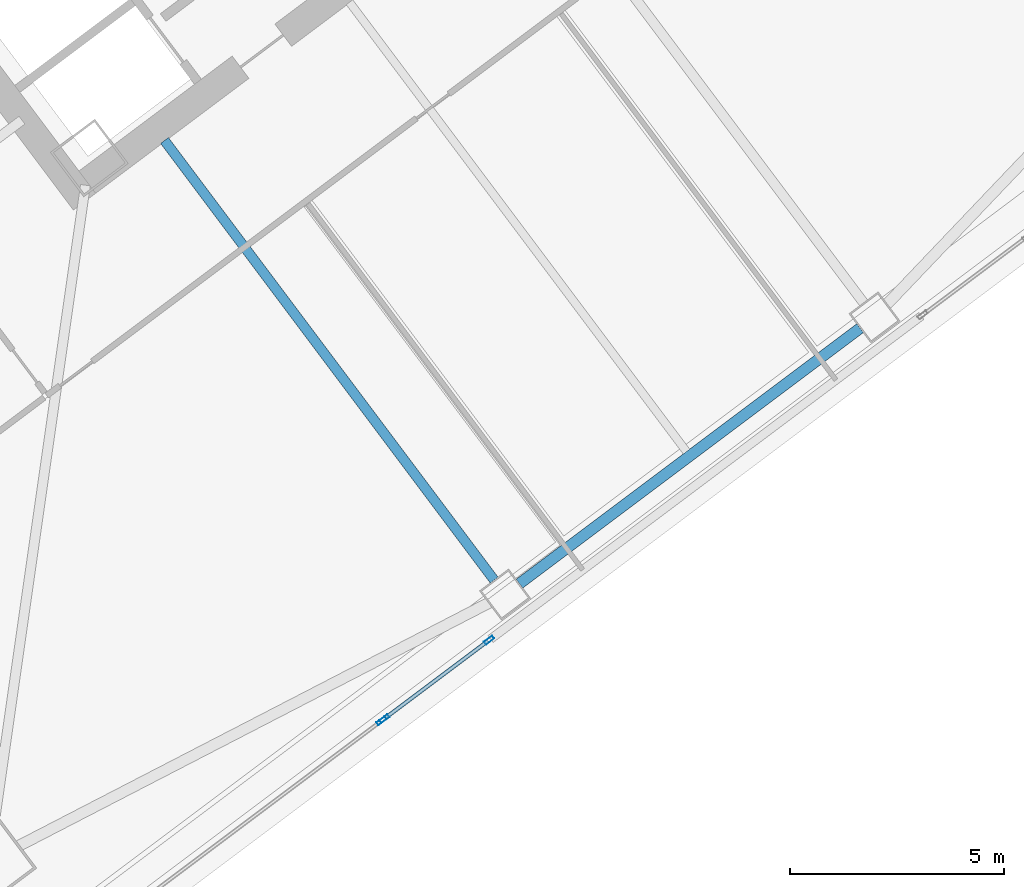
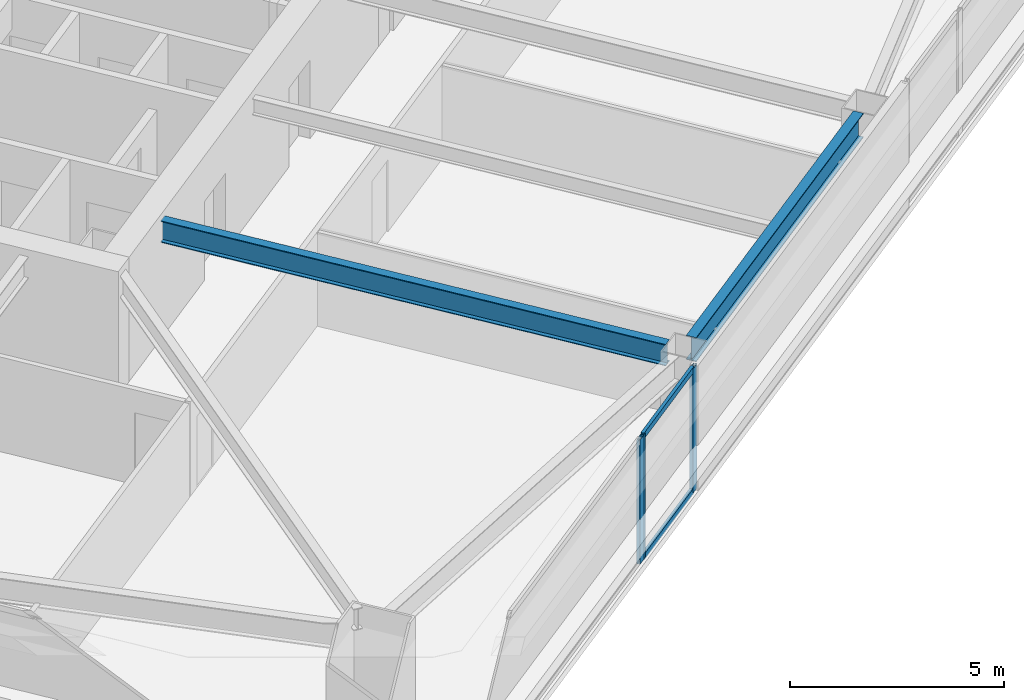
# One storey, part 22 of 46: 5 members, 2 beams, 2 elements without a shape of their own.
"""IFC4 building model written with IfcOpenShell, lengths in metres."""

from ifc_helpers import new_model, si_unit, direction, frame, origin, origin_2d, place, context, subcontext, project, spatial, hollow_rectangle, i_section, extrude, material, material_profile, profile_set, type_object, element, aggregate, save


model = new_model("IFC4")

# Units and contexts
model_context = context("Model", 3, precision=1e-05, world=origin(), true_north=direction((0.0, 1.0)))
body_context = subcontext(model_context, "Body", "Model", "MODEL_VIEW")
ifc_project = project(units=[si_unit("LENGTHUNIT", "METRE"), si_unit("AREAUNIT", "SQUARE_METRE"), si_unit("VOLUMEUNIT", "CUBIC_METRE"), si_unit("PLANEANGLEUNIT", "RADIAN"), si_unit("MASSUNIT", "GRAM", prefix="KILO")], contexts=[model_context])

# Site, building, storey
site_placement = place(None, origin())
site = spatial("IfcSite", under=ifc_project, at=site_placement, CompositionType="ELEMENT")
building_placement = place(site_placement, origin())
building = spatial("IfcBuilding", under=site, at=building_placement, Name="Tashvorn Skyway Center", CompositionType="ELEMENT")
storey_placement = place(building_placement, frame((0.0, 0.0, 31.699951171875)))
storey = spatial("IfcBuildingStorey", under=building, at=storey_placement, Name="L07", CompositionType="ELEMENT", Elevation=31.699951171875)

# Beams
ifc_material_1 = material(Name="Steel ASTM A992 Grade 50", Category="steel")
ifc_material_profile_1 = material_profile(ifc_material_1, i_section(OverallWidth=0.22998046875, OverallDepth=0.616943359375, WebThickness=0.01318359375, FlangeThickness=0.022216796875, at=origin_2d()), Name="W24X94")
ifc_profile_set_1 = profile_set([ifc_material_profile_1], Name="Steel ASTM A992 Grade 50")
beam_type_1 = type_object("IfcBeamType", Name="BM-BEAM-W24X94", PredefinedType="BEAM", material=ifc_profile_set_1)
beam_1_placement = place(storey_placement, frame((122.05810546875, 12.256103515625, 3.04150390625), z_axis=(-0.600018239213, 0.799986320265, 0.0), x_axis=(-0.799986320265, -0.600018239213, 0.0)))
element("IfcBeam", 1, at=beam_1_placement, inside=storey, type_object=beam_type_1, Name="Tower 2 L07 Primary Floor Girder FC-S1", PredefinedType="BEAM", context=body_context, shape_type="SweptSolid", body=[
    extrude(i_section(OverallWidth=0.22998046875, OverallDepth=0.616943359375, WebThickness=0.01318359375, FlangeThickness=0.022216796875, at=origin_2d()), origin(), (0.0, 0.0, 1.0), 12.849853515625),
])
ifc_material_profile_2 = material_profile(ifc_material_1, i_section(OverallWidth=0.256103515625, OverallDepth=0.693115234375, WebThickness=0.014404296875, FlangeThickness=0.023681640625, at=origin_2d()), Name="W27X114")
ifc_profile_set_2 = profile_set([ifc_material_profile_2], Name="Steel ASTM A992 Grade 50")
beam_type_2 = type_object("IfcBeamType", Name="BM-SPANDREL-W27X114", PredefinedType="SPANDREL", material=ifc_profile_set_2)
beam_2_placement = place(storey_placement, frame((122.64599609375, 12.172119140625, 3.003662109375), z_axis=(0.800008824351, 0.599988234018, 0.0), x_axis=(-0.599988234018, 0.800008824351, 0.0)))
element("IfcBeam", 2, at=beam_2_placement, inside=storey, type_object=beam_type_2, Name="Tower 2 L07 Spandrel Beam 02", PredefinedType="SPANDREL", context=body_context, shape_type="SweptSolid", body=[
    extrude(i_section(OverallWidth=0.256103515625, OverallDepth=0.693115234375, WebThickness=0.014404296875, FlangeThickness=0.023681640625, at=origin_2d()), origin(), (0.0, 0.0, 1.0), 9.9599609375),
])

# Curtain wall, members
ifc_material_2 = material(Name="Thermally broken bronze-anodized aluminium 6063-T6", Category="aluminium")
curtain_wall_type = type_object("IfcCurtainWallType", Name="CW-CW-Z1", PredefinedType="NOTDEFINED", material=ifc_material_2)
curtain_wall_1_placement = place(storey_placement, origin())
curtain_wall_1 = element("IfcCurtainWall", 3, at=curtain_wall_1_placement, inside=storey, type_object=curtain_wall_type, Name="Tower 2 L07 South Unitised Curtain Wall Glazing Group 3", PredefinedType="NOTDEFINED")
ifc_material_profile_3 = material_profile(ifc_material_2, hollow_rectangle(XDim=0.0849609375, YDim=0.239990234375, WallThickness=0.0048828125, at=origin_2d()), Name="ALU-MULL-85x240")
ifc_profile_set_3 = profile_set([ifc_material_profile_3], Name="Thermally broken bronze-anodized aluminium 6063-T6")
member_type_1 = type_object("IfcMemberType", Name="CWM-CW-Z1", PredefinedType="MULLION", material=ifc_profile_set_3)
member_1_placement = place(storey_placement, frame((121.939208984375, 10.8544921875, 0.0), z_axis=(0.0, 0.0, 1.0), x_axis=(0.600005084776, -0.799996186392, 0.0)))
member_1 = element("IfcMember", 4, at=member_1_placement, type_object=member_type_1, Name="CW-Z1 mullion 1", PredefinedType="MULLION", context=body_context, shape_type="SweptSolid", body=[
    extrude(hollow_rectangle(XDim=0.0849609375, YDim=0.239990234375, WallThickness=0.0048828125, at=origin_2d()), origin(), (0.0, 0.0, 1.0), 3.550048828125),
])
member_2_placement = place(storey_placement, frame((119.489990234375, 9.017578125, 0.0), z_axis=(0.0, 0.0, 1.0), x_axis=(0.600005084776, -0.799996186392, 0.0)))
member_2 = element("IfcMember", 5, at=member_2_placement, type_object=member_type_1, Name="CW-Z1 mullion 2", PredefinedType="MULLION", context=body_context, shape_type="SweptSolid", body=[
    extrude(hollow_rectangle(XDim=0.0849609375, YDim=0.239990234375, WallThickness=0.0048828125, at=origin_2d()), origin(), (0.0, 0.0, 1.0), 3.550048828125),
])

# Curtain wall, member
curtain_wall_2_placement = place(storey_placement, origin())
curtain_wall_2 = element("IfcCurtainWall", 6, at=curtain_wall_2_placement, inside=storey, type_object=curtain_wall_type, Name="Tower 2 L07 South Unitised Curtain Wall Glazing Group 4", PredefinedType="NOTDEFINED")
member_3_placement = place(storey_placement, frame((119.422119140625, 8.966552734375, 0.0), z_axis=(0.0, 0.0, 1.0), x_axis=(0.600000000002, -0.799999999998, 0.0)))
member_3 = element("IfcMember", 7, at=member_3_placement, type_object=member_type_1, Name="CW-Z1 mullion 1", PredefinedType="MULLION", context=body_context, shape_type="SweptSolid", body=[
    extrude(hollow_rectangle(XDim=0.0849609375, YDim=0.239990234375, WallThickness=0.0048828125, at=origin_2d()), origin(), (0.0, 0.0, 1.0), 3.550048828125),
])
aggregate(curtain_wall_2, [member_3])

# Member
ifc_material_profile_4 = material_profile(ifc_material_2, hollow_rectangle(XDim=0.0849609375, YDim=0.1650390625, WallThickness=0.0048828125, at=origin_2d()), Name="ALU-TRAN-85x165")
ifc_profile_set_4 = profile_set([ifc_material_profile_4], Name="Thermally broken bronze-anodized aluminium 6063-T6")
member_type_2 = type_object("IfcMemberType", Name="CWT-CW-Z1", PredefinedType="USERDEFINED", material=ifc_profile_set_4)
member_4_placement = place(storey_placement, frame((121.9052734375, 10.8291015625, 0.04248046875), z_axis=(-0.799980315822, -0.600026244674, 0.0), x_axis=(0.600026244674, -0.799980315822, 0.0)))
member_4 = element("IfcMember", 8, at=member_4_placement, type_object=member_type_2, Name="CW-Z1 transom 1.1", ObjectType="TRANSOM", PredefinedType="USERDEFINED", context=body_context, shape_type="SweptSolid", body=[
    extrude(hollow_rectangle(XDim=0.0849609375, YDim=0.1650390625, WallThickness=0.0048828125, at=origin_2d()), origin(), (0.0, 0.0, 1.0), 2.976806640625),
])

member_5_placement = place(storey_placement, frame((121.9052734375, 10.8291015625, 3.507568359375), z_axis=(-0.799980315822, -0.600026244674, 0.0), x_axis=(0.600026244674, -0.799980315822, 0.0)))
member_5 = element("IfcMember", 9, at=member_5_placement, type_object=member_type_2, Name="CW-Z1 transom 1.2", ObjectType="TRANSOM", PredefinedType="USERDEFINED", context=body_context, shape_type="SweptSolid", body=[
    extrude(hollow_rectangle(XDim=0.0849609375, YDim=0.1650390625, WallThickness=0.0048828125, at=origin_2d()), origin(), (0.0, 0.0, 1.0), 2.976806640625),
])

aggregate(curtain_wall_1, [member_1, member_2, member_4, member_5])

save(model, "model.ifc")
